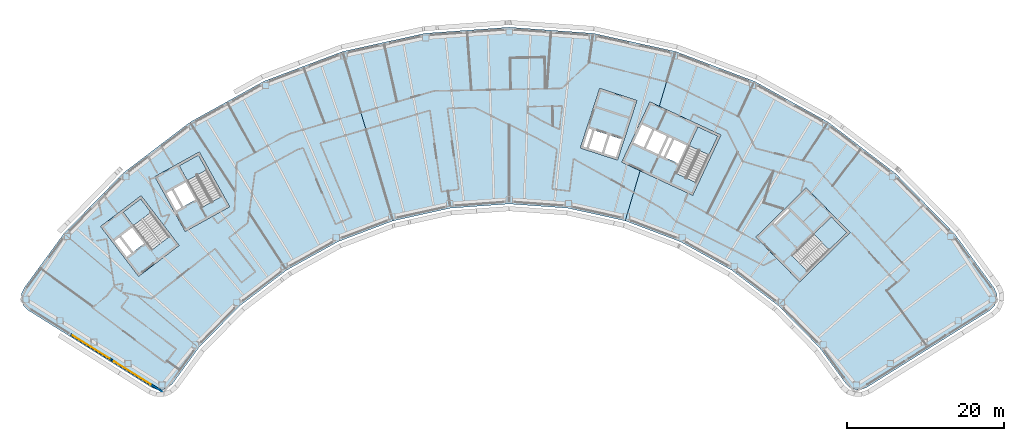
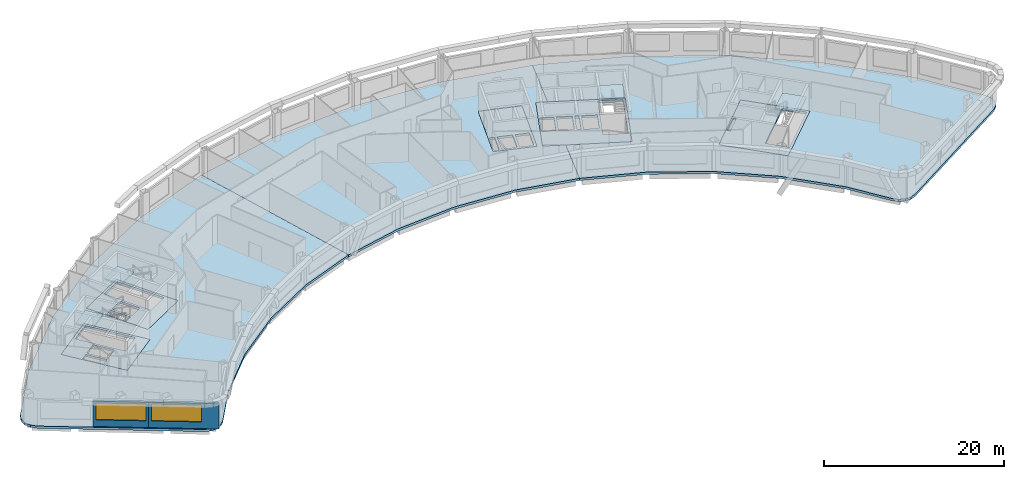
# One storey, part 4 of 14: 12 slabs, 2 walls, 2 windows, 2 openings, 4 elements without a shape of their own.
"""IFC4 building model written with IfcOpenShell, lengths in metres."""

import ifcopenshell
import ifcopenshell.guid

model = None  # the IFC model being written
_history = None  # IfcOwnerHistory: only IFC2X3 demands one
_inside = {}  # id of a spatial element -> (the spatial element, [elements in it])
_under = {}  # id of a project, library or spatial element -> (it, [spatial elements below it])
_declared = {}  # id of a project -> (the project, [libraries it declares])
_typed = {}  # id of a type object -> (the type object, [elements of that type])
_made_of = {}  # id of a material, layer set ... -> (it, [elements and type objects made of it])


def new_model(schema):
    """Start an empty IFC model of exactly this schema.

    Asked for "IFC4X3", IfcOpenShell would pick the latest addendum, in which some entities
    have other attributes; the version numbers below select the first issue.
    IFC2X3 requires an IfcOwnerHistory on every rooted entity: one is made here for all.
    """
    global model, _history
    if schema == "IFC4X3":
        model = ifcopenshell.file(schema_version=(4, 3, 0, 0))
    else:
        model = ifcopenshell.file(schema=schema)
    _inside.clear()
    _under.clear()
    _declared.clear()
    _typed.clear()
    _made_of.clear()
    _history = None
    if model.schema == "IFC2X3":
        org = make("IfcOrganization", Name="unknown")
        user = make(
            "IfcPersonAndOrganization",
            ThePerson=make("IfcPerson", FamilyName="unknown"),
            TheOrganization=org,
        )
        app = make(
            "IfcApplication",
            ApplicationDeveloper=org,
            Version="unknown",
            ApplicationFullName="unknown",
            ApplicationIdentifier="unknown",
        )
        _history = make(
            "IfcOwnerHistory",
            OwningUser=user,
            OwningApplication=app,
            ChangeAction="ADDED",
            CreationDate=0,
        )
    return model


def make(cls, **values):
    """One entity of the class cls with the attributes given. An attribute that is None is left unset."""
    return model.create_entity(
        cls, **{name: value for name, value in values.items() if value is not None}
    )


def rooted(cls, **values):
    """An entity with a GlobalId (a new one), such as an element, a storey or a relation."""
    return make(cls, GlobalId=ifcopenshell.guid.new(), OwnerHistory=_history, **values)


def si_unit(unit_type, name, prefix=None):
    """IfcSIUnit, for example si_unit("LENGTHUNIT", "METRE", prefix="MILLI")."""
    return make("IfcSIUnit", UnitType=unit_type, Prefix=prefix, Name=name)


def assignment(units):
    """IfcUnitAssignment: the units of a project."""
    return None if units is None else make("IfcUnitAssignment", Units=units)


def point(xyz):
    """IfcCartesianPoint."""
    return None if xyz is None else make("IfcCartesianPoint", Coordinates=xyz)


def direction(xyz):
    """IfcDirection."""
    return None if xyz is None else make("IfcDirection", DirectionRatios=xyz)


def frame(location, z_axis=None, x_axis=None):
    """IfcAxis2Placement3D, a coordinate frame: its origin and axes. An axis left out is left unset."""
    return make(
        "IfcAxis2Placement3D",
        Location=point(location),
        Axis=direction(z_axis),
        RefDirection=direction(x_axis),
    )


def frame_2d(location, x_axis=None):
    """IfcAxis2Placement2D, a coordinate frame in the plane: its origin and x axis."""
    return make(
        "IfcAxis2Placement2D", Location=point(location), RefDirection=direction(x_axis)
    )


def origin():
    """The frame at (0, 0, 0) with its axes left unset."""
    return frame((0.0, 0.0, 0.0))


def place(relative_to, where):
    """IfcLocalPlacement: puts the frame where relative to a parent placement (None: the world)."""
    return make(
        "IfcLocalPlacement", PlacementRelTo=relative_to, RelativePlacement=where
    )


def context(
    kind, dimensions, precision=None, world=None, true_north=None, identifier=None
):
    """IfcGeometricRepresentationContext, for example the 3D "Model" context."""
    return make(
        "IfcGeometricRepresentationContext",
        ContextIdentifier=identifier,
        ContextType=kind,
        CoordinateSpaceDimension=dimensions,
        Precision=precision,
        WorldCoordinateSystem=world,
        TrueNorth=true_north,
    )


def subcontext(parent, identifier, kind, view, scale=None):
    """IfcGeometricRepresentationSubContext, for example "Body" below "Model"."""
    return make(
        "IfcGeometricRepresentationSubContext",
        ContextIdentifier=identifier,
        ContextType=kind,
        ParentContext=parent,
        TargetScale=scale,
        TargetView=view,
    )


def project(units=None, contexts=None):
    """IfcProject with its units and contexts."""
    return rooted(
        "IfcProject",
        Name="project",
        RepresentationContexts=contexts,
        UnitsInContext=assignment(units),
    )


def spatial(cls, under=None, at=None, **own):
    """A site, building, storey or space (cls), placed at a placement, below another one or the project."""
    s = rooted(cls, ObjectPlacement=at, **own)
    if under is not None:
        _under.setdefault(under.id(), (under, []))[1].append(s)
    return s


def polyline(points):
    """IfcPolyline through the points."""
    return make("IfcPolyline", Points=[point(p) for p in points])


def profile(cls, at=None, kind="AREA", **sizes):
    """A parametric profile (cls). Its sizes go by their IFC names, for example OverallWidth=200.0."""
    return make(cls, ProfileType=kind, Position=at, **sizes)


def rectangle(**sizes):
    """IfcRectangleProfileDef."""
    return profile("IfcRectangleProfileDef", **sizes)


def outline(outer, holes=None, kind="AREA"):
    """IfcArbitraryClosedProfileDef: a profile drawn as a closed curve; with holes, ...WithVoids."""
    if holes is None:
        return make("IfcArbitraryClosedProfileDef", ProfileType=kind, OuterCurve=outer)
    return make(
        "IfcArbitraryProfileDefWithVoids",
        ProfileType=kind,
        OuterCurve=outer,
        InnerCurves=holes,
    )


def extrude(swept, where, along, depth):
    """IfcExtrudedAreaSolid: the profile swept, set in the frame where, extruded along a direction by depth."""
    return make(
        "IfcExtrudedAreaSolid",
        SweptArea=swept,
        Position=where,
        ExtrudedDirection=direction(along),
        Depth=depth,
    )


def shape(context_of_items, identifier, shape_type, items):
    """IfcShapeRepresentation: the items that make up one representation, for example the "Body"."""
    return make(
        "IfcShapeRepresentation",
        ContextOfItems=context_of_items,
        RepresentationIdentifier=identifier,
        RepresentationType=shape_type,
        Items=items,
    )


def material(Name=None, Category=None):
    """IfcMaterial."""
    return make("IfcMaterial", Name=Name, Category=Category)


def layer(
    of_material, thickness, ventilated=None, Name=None, Category=None, Priority=None
):
    """IfcMaterialLayer: one layer of a wall or slab, of a material (None: an air gap)."""
    return make(
        "IfcMaterialLayer",
        Material=of_material,
        LayerThickness=thickness,
        IsVentilated=ventilated,
        Name=Name,
        Category=Category,
        Priority=Priority,
    )


def layer_set(layers, Name=None):
    """IfcMaterialLayerSet."""
    return make("IfcMaterialLayerSet", MaterialLayers=layers, LayerSetName=Name)


def made_of(thing, what):
    """Note that an element or type object is made of a material, layer set ...; save() writes the relation."""
    if what is not None:
        _made_of.setdefault(what.id(), (what, []))[1].append(thing)
    return thing


def type_object(cls, material=None, **own):
    """A type object (cls), such as IfcWallType, which elements share."""
    return made_of(rooted(cls, **own), material)


def element(
    cls,
    number,
    at=None,
    inside=None,
    cuts=None,
    type_object=None,
    material=None,
    context=None,
    identifier="Body",
    shape_type=None,
    held_by="IfcProductDefinitionShape",
    body=None,
    shapes=None,
    **own,
):
    """One element of the class cls, such as IfcWall. Its Tag is "e" and its number.

    at: its placement. inside: the storey or other place that contains it. cuts: it is an
    opening in that element (IfcRelVoidsElement). A single representation is given by context,
    identifier, shape_type and body (its items); several are given by shapes. held_by: the class
    of the entity that holds the representations. save() writes the other relations.
    """
    e = rooted(cls, Tag="e%d" % number, ObjectPlacement=at, **own)
    if body is not None:
        shapes = [shape(context, identifier, shape_type, body)]
    if shapes is not None:
        e.Representation = make(held_by, Representations=shapes)
    if inside is not None:
        _inside.setdefault(inside.id(), (inside, []))[1].append(e)
    if cuts is not None:
        rooted(
            "IfcRelVoidsElement", RelatingBuildingElement=cuts, RelatedOpeningElement=e
        )
    if type_object is not None:
        _typed.setdefault(type_object.id(), (type_object, []))[1].append(e)
    return made_of(e, material)


def fill(opening, filler):
    """IfcRelFillsElement: the door or window that sits in an opening."""
    return rooted(
        "IfcRelFillsElement",
        RelatingOpeningElement=opening,
        RelatedBuildingElement=filler,
    )


def aggregate(whole, parts):
    """IfcRelAggregates: a whole, such as a stair, and the parts it consists of."""
    return rooted("IfcRelAggregates", RelatingObject=whole, RelatedObjects=parts)


def save(model, path):
    """Write the relations noted so far, then the file.

    IfcRelAggregates (storeys below a building ...), IfcRelContainedInSpatialStructure (elements
    in a storey), IfcRelDefinesByType, IfcRelAssociatesMaterial and IfcRelDeclares: one each for
    every whole, place, type object, material and project.
    """
    for whole, parts in _under.values():
        aggregate(whole, parts)
    for where, things in _inside.values():
        rooted(
            "IfcRelContainedInSpatialStructure",
            RelatedElements=things,
            RelatingStructure=where,
        )
    for kind, things in _typed.values():
        rooted("IfcRelDefinesByType", RelatedObjects=things, RelatingType=kind)
    for what, things in _made_of.values():
        rooted("IfcRelAssociatesMaterial", RelatedObjects=things, RelatingMaterial=what)
    for by, libraries in _declared.values():
        rooted("IfcRelDeclares", RelatingContext=by, RelatedDefinitions=libraries)
    model.write(path)


model = new_model("IFC4")

# Units and contexts
model_context = context("Model", 3, precision=1e-05, world=origin(), true_north=direction((0.0, 1.0)))
body_context = subcontext(model_context, "Body", "Model", "MODEL_VIEW")
ifc_project = project(units=[si_unit("LENGTHUNIT", "METRE"), si_unit("AREAUNIT", "SQUARE_METRE"), si_unit("VOLUMEUNIT", "CUBIC_METRE"), si_unit("PLANEANGLEUNIT", "RADIAN"), si_unit("MASSUNIT", "GRAM", prefix="KILO")], contexts=[model_context])

# Site, building, storey
site_placement = place(None, origin())
site = spatial("IfcSite", under=ifc_project, at=site_placement, CompositionType="ELEMENT")
building_placement = place(site_placement, origin())
building = spatial("IfcBuilding", under=site, at=building_placement, Name="Tuul Gate Civic Tower", CompositionType="ELEMENT")
storey_placement = place(building_placement, frame((0.0, 0.0, 269.39990234375)))
storey = spatial("IfcBuildingStorey", under=building, at=storey_placement, Name="Level 61", CompositionType="ELEMENT", Elevation=269.39990234375)

# Slabs
ifc_material_1 = material(Name="Concrete C40/50", Category="concrete")
ifc_layer_1 = layer(ifc_material_1, 0.300048828125)
ifc_layer_set_1 = layer_set([ifc_layer_1], Name="Concrete C40/50")
slab_type_1 = type_object("IfcSlabType", Name="Core floor slab 300", PredefinedType="FLOOR", material=ifc_layer_set_1)
slab_1_placement = place(storey_placement, frame((0.0, 0.0, -0.2998046875)))
element("IfcSlab", 1, at=slab_1_placement, inside=storey, type_object=slab_type_1, Name="FLOOR SLAB", PredefinedType="FLOOR", context=body_context, shape_type="SweptSolid", body=[
    extrude(outline(polyline([(-31.10009765625, -13.7890625), (-35.946044921875, -7.423828125), (-41.11767578125, -11.361572265625), (-36.271484375, -17.726806640625), (-31.10009765625, -13.7890625)]), holes=[polyline([(-35.561767578125, -13.541259765625), (-37.1064453125, -11.512451171875), (-38.498779296875, -12.572509765625), (-36.9541015625, -14.6015625), (-35.561767578125, -13.541259765625)]), polyline([(-37.19287109375, -14.783203125), (-38.737548828125, -12.75439453125), (-39.45361328125, -13.299560546875), (-37.908935546875, -15.328369140625), (-37.19287109375, -14.783203125)]), polyline([(-32.33935546875, -12.65771484375), (-34.56591796875, -14.352783203125), (-38.229736328125, -9.54052734375), (-36.003173828125, -7.845458984375), (-32.33935546875, -12.65771484375)])]), origin(), (0.0, 0.0, 1.0), 0.2998046875),
])
slab_2_placement = place(storey_placement, frame((0.0, 0.0, -0.2998046875)))
element("IfcSlab", 2, at=slab_2_placement, inside=storey, type_object=slab_type_1, Name="FLOOR SLAB", PredefinedType="FLOOR", context=body_context, shape_type="SweptSolid", body=[
    extrude(outline(polyline([(-24.638916015625, -8.846923828125), (-28.51708984375, -1.849853515625), (-34.2021484375, -5.0009765625), (-30.32421875, -11.998046875), (-24.638916015625, -8.846923828125)]), holes=[polyline([(-29.0185546875, -7.958740234375), (-30.254638671875, -5.728515625), (-31.785400390625, -6.576904296875), (-30.54931640625, -8.80712890625), (-29.0185546875, -7.958740234375)]), polyline([(-30.8115234375, -8.95263671875), (-32.047607421875, -6.72216796875), (-32.8349609375, -7.158447265625), (-31.5986328125, -9.388916015625), (-30.8115234375, -8.95263671875)]), polyline([(-25.702392578125, -7.548828125), (-28.14990234375, -8.905517578125), (-31.08203125, -3.615234375), (-28.63427734375, -2.2587890625), (-25.702392578125, -7.548828125)])]), origin(), (0.0, 0.0, 1.0), 0.2998046875),
])
slab_3_placement = place(storey_placement, frame((0.0, 0.0, -0.2998046875)))
element("IfcSlab", 3, at=slab_3_placement, inside=storey, type_object=slab_type_1, Name="FLOOR SLAB", PredefinedType="FLOOR", context=body_context, shape_type="SweptSolid", body=[
    extrude(outline(polyline([(48.117919921875, -18.43310546875), (54.545166015625, -12.1328125), (48.945068359375, -6.419921875), (42.517822265625, -12.719970703125), (48.117919921875, -18.43310546875)]), holes=[polyline([(44.93896484375, -11.046875), (46.760009765625, -9.261962890625), (46.514892578125, -9.011962890625), (44.69384765625, -10.797119140625), (44.93896484375, -11.046875)]), polyline([(49.086181640625, -17.062744140625), (47.12744140625, -15.064208984375), (52.160888671875, -10.130126953125), (54.11962890625, -12.128662109375), (49.086181640625, -17.062744140625)])]), origin(), (0.0, 0.0, 1.0), 0.2998046875),
])
slab_4_placement = place(storey_placement, frame((0.0, 0.0, -0.2998046875)))
element("IfcSlab", 4, at=slab_4_placement, inside=storey, type_object=slab_type_1, Name="FLOOR SLAB", PredefinedType="FLOOR", context=body_context, shape_type="SweptSolid", body=[
    extrude(outline(polyline([(34.465087890625, -7.385986328125), (38.056884765625, 0.31787109375), (28.993896484375, 4.543701171875), (25.40185546875, -3.159912109375), (34.465087890625, -7.385986328125)]), holes=[polyline([(32.60888671875, -3.32080078125), (33.6865234375, -1.009765625), (32.1005859375, -0.27001953125), (31.02294921875, -2.581298828125), (32.60888671875, -3.32080078125)]), polyline([(30.0712890625, -2.137451171875), (31.14892578125, 0.173583984375), (29.562744140625, 0.9130859375), (28.4853515625, -1.39794921875), (30.0712890625, -2.137451171875)]), polyline([(30.751220703125, -2.454345703125), (31.82861328125, -0.143310546875), (31.4208984375, 0.046875), (30.34326171875, -2.264404296875), (30.751220703125, -2.454345703125)]), polyline([(28.21337890625, -1.27099609375), (29.291015625, 1.0400390625), (27.8408203125, 1.71630859375), (26.76318359375, -0.594970703125), (28.21337890625, -1.27099609375)]), polyline([(34.889892578125, -5.7626953125), (32.353759765625, -4.580078125), (35.120849609375, 1.354736328125), (37.6572265625, 0.17236328125), (34.889892578125, -5.7626953125)])]), origin(), (0.0, 0.0, 1.0), 0.2998046875),
])
ifc_material_2 = material(Name="Concrete C40/50", Category="concrete")
ifc_layer_2 = layer(ifc_material_2, 0.300048828125)
ifc_layer_set_2 = layer_set([ifc_layer_2], Name="Concrete C40/50")
slab_type_2 = type_object("IfcSlabType", Name="Core floor slab 300 non-bearing", PredefinedType="FLOOR", material=ifc_layer_set_2)
slab_5_placement = place(storey_placement, frame((0.0, 0.0, -0.2998046875)))
element("IfcSlab", 5, at=slab_5_placement, inside=storey, type_object=slab_type_2, Name="FLOOR SLAB", PredefinedType="FLOOR", context=body_context, shape_type="SweptSolid", body=[
    extrude(outline(polyline([(24.864990234375, -2.888916015625), (27.337890625, 4.71923828125), (22.58251953125, 6.264404296875), (20.109619140625, -1.343994140625), (24.864990234375, -2.888916015625)]), holes=[polyline([(24.67236328125, -2.510986328125), (25.414306640625, -0.228515625), (23.892578125, 0.265869140625), (23.150634765625, -2.0166015625), (24.67236328125, -2.510986328125)]), polyline([(22.865478515625, -1.923828125), (23.607177734375, 0.358642578125), (21.94287109375, 0.8994140625), (21.201171875, -1.383056640625), (22.865478515625, -1.923828125)]), polyline([(20.869384765625, -1.43310546875), (21.65771484375, 0.9921875), (21.0869140625, 1.177490234375), (20.298583984375, -1.24755859375), (20.869384765625, -1.43310546875)])]), origin(), (0.0, 0.0, 1.0), 0.2998046875),
])

# Stair, slab
ifc_material_3 = material(Name="Concrete C40/50", Category="concrete")
stair_type = type_object("IfcStairType", Name="Exit stair", PredefinedType="HALF_TURN_STAIR", material=ifc_material_3)
stair_1_placement = place(storey_placement, origin())
stair_1 = element("IfcStair", 6, at=stair_1_placement, inside=storey, type_object=stair_type, Name="Level 61 ST-1", PredefinedType="HALF_TURN_STAIR")
ifc_material_4 = material(Name="Concrete C40/50", Category="concrete")
ifc_layer_3 = layer(ifc_material_4, 0.199951171875)
ifc_layer_set_3 = layer_set([ifc_layer_3], Name="Concrete C40/50")
slab_type_3 = type_object("IfcSlabType", Name="Exit stair landing", PredefinedType="LANDING", material=ifc_layer_set_3)
slab_6_placement = place(storey_placement, frame((0.0, 0.0, 1.900146484375)))
slab_6 = element("IfcSlab", 7, at=slab_6_placement, type_object=slab_type_3, Name="ST-1 landing 1", PredefinedType="LANDING", context=body_context, shape_type="SweptSolid", body=[
    extrude(outline(polyline([(-34.699462890625, -9.554931640625), (-36.9287109375, -11.252197265625), (-38.23193359375, -9.540283203125), (-36.0029296875, -7.843017578125), (-34.699462890625, -9.554931640625)])), origin(), (0.0, 0.0, 1.0), 0.199951171875),
])
aggregate(stair_1, [slab_6])

stair_2_placement = place(storey_placement, origin())
stair_2 = element("IfcStair", 8, at=stair_2_placement, inside=storey, type_object=stair_type, Name="Level 61 ST-2", PredefinedType="HALF_TURN_STAIR")
slab_7_placement = place(storey_placement, frame((0.0, 0.0, 1.900146484375)))
slab_7 = element("IfcSlab", 9, at=slab_7_placement, type_object=slab_type_3, Name="ST-2 landing 1", PredefinedType="LANDING", context=body_context, shape_type="SweptSolid", body=[
    extrude(outline(polyline([(-27.5908203125, -4.138427734375), (-30.041015625, -5.49658203125), (-31.084228515625, -3.61474609375), (-28.6337890625, -2.256591796875), (-27.5908203125, -4.138427734375)])), origin(), (0.0, 0.0, 1.0), 0.199951171875),
])
aggregate(stair_2, [slab_7])

stair_3_placement = place(storey_placement, origin())
stair_3 = element("IfcStair", 10, at=stair_3_placement, inside=storey, type_object=stair_type, Name="Level 61 ST-3", PredefinedType="HALF_TURN_STAIR")
slab_8_placement = place(storey_placement, frame((0.0, 0.0, 1.900146484375)))
slab_8 = element("IfcSlab", 11, at=slab_8_placement, type_object=slab_type_3, Name="ST-3 landing 1", PredefinedType="LANDING", context=body_context, shape_type="SweptSolid", body=[
    extrude(outline(polyline([(51.871337890625, -14.3349609375), (49.91015625, -12.334228515625), (52.160888671875, -10.1279296875), (54.1220703125, -12.128662109375), (51.871337890625, -14.3349609375)])), origin(), (0.0, 0.0, 1.0), 0.199951171875),
])
aggregate(stair_3, [slab_8])

stair_4_placement = place(storey_placement, origin())
stair_4 = element("IfcStair", 12, at=stair_4_placement, inside=storey, type_object=stair_type, Name="Level 61 ST-4", PredefinedType="HALF_TURN_STAIR")
slab_9_placement = place(storey_placement, frame((0.0, 0.0, 1.900146484375)))
slab_9 = element("IfcSlab", 13, at=slab_9_placement, type_object=slab_type_3, Name="ST-4 landing 1", PredefinedType="LANDING", context=body_context, shape_type="SweptSolid", body=[
    extrude(outline(polyline([(36.538818359375, -2.230224609375), (33.999755859375, -1.046142578125), (35.1201171875, 1.35693359375), (37.659423828125, 0.173095703125), (36.538818359375, -2.230224609375)])), origin(), (0.0, 0.0, 1.0), 0.199951171875),
])
aggregate(stair_4, [slab_9])

# Slabs
ifc_material_5 = material(Name="Concrete C35/45", Category="concrete")
ifc_layer_4 = layer(ifc_material_5, 0.300048828125)
ifc_layer_set_4 = layer_set([ifc_layer_4], Name="Concrete C35/45")
slab_type_4 = type_object("IfcSlabType", Name="STR-FLOOR-SLAB-300", PredefinedType="FLOOR", material=ifc_layer_set_4)
slab_10_placement = place(storey_placement, frame((0.0, 0.0, -0.2998046875)))
element("IfcSlab", 14, at=slab_10_placement, inside=storey, type_object=slab_type_4, Name="Level 61/slab/W", PredefinedType="FLOOR", context=body_context, shape_type="SweptSolid", body=[
    extrude(outline(polyline([(-10.802978515625, -13.294921875), (-3.782958984375, -10.64111328125), (-10.217041015625, 10.98095703125), (-20.285888671875, 7.174072265625), (-29.699951171875, 1.955078125), (-38.264892578125, -4.56591796875), (-45.800048828125, -12.2529296875), (-50.881103515625, -19.208984375), (-51.217041015625, -19.951904296875), (-51.22900390625, -20.76806640625), (-50.9140625, -21.52001953125), (-50.324951171875, -22.0849609375), (-34.594970703125, -31.9140625), (-33.90087890625, -32.18408203125), (-33.156005859375, -32.181884765625), (-32.464111328125, -31.906982421875), (-31.919921875, -31.39697265625), (-28.591064453125, -26.839111328125), (-23.337890625, -21.47998046875), (-17.366943359375, -16.93408203125), (-10.802978515625, -13.294921875)]), holes=[polyline([(-31.10009765625, -13.7890625), (-36.27197265625, -17.72705078125), (-41.117919921875, -11.362060546875), (-35.946044921875, -7.424072265625), (-31.10009765625, -13.7890625)]), polyline([(-24.638916015625, -8.846923828125), (-30.323974609375, -11.998046875), (-34.201904296875, -5.0009765625), (-28.51708984375, -1.85009765625), (-24.638916015625, -8.846923828125)])]), origin(), (0.0, 0.0, 1.0), 0.2998046875),
])
slab_11_placement = place(storey_placement, frame((0.0, 0.0, -0.2998046875)))
element("IfcSlab", 15, at=slab_11_placement, inside=storey, type_object=slab_type_4, Name="Level 61/slab/M", PredefinedType="FLOOR", context=body_context, shape_type="SweptSolid", body=[
    extrude(outline(polyline([(18.51611328125, -9.02490234375), (25.844970703125, -10.64111328125), (27.74609375, -4.2529296875), (25.402099609375, -3.159912109375), (28.993896484375, 4.5439453125), (30.197021484375, 3.98291015625), (32.279052734375, 10.98095703125), (21.76708984375, 13.298095703125), (11.031005859375, 14.075927734375), (0.294921875, 13.298095703125), (-10.217041015625, 10.98095703125), (-3.782958984375, -10.64111328125), (3.5458984375, -9.02490234375), (11.031005859375, -8.48291015625), (18.51611328125, -9.02490234375)]), holes=[polyline([(20.110107421875, -1.343994140625), (22.58203125, 6.264892578125), (27.337890625, 4.719970703125), (24.864990234375, -2.888916015625), (20.110107421875, -1.343994140625)])]), origin(), (0.0, 0.0, 1.0), 0.2998046875),
])
slab_12_placement = place(storey_placement, frame((0.0, 0.0, -0.2998046875)))
element("IfcSlab", 16, at=slab_12_placement, inside=storey, type_object=slab_type_4, Name="Level 61/slab/E", PredefinedType="FLOOR", context=body_context, shape_type="SweptSolid", body=[
    extrude(outline(polyline([(55.962890625, -32.18408203125), (56.656982421875, -31.9140625), (72.386962890625, -22.0849609375), (72.97607421875, -21.52001953125), (73.291015625, -20.76806640625), (73.279052734375, -19.951904296875), (72.94189453125, -19.208984375), (67.862060546875, -12.2529296875), (60.325927734375, -4.56591796875), (51.761962890625, 1.955078125), (42.347900390625, 7.174072265625), (32.279052734375, 10.98095703125), (30.197021484375, 3.98291015625), (38.056884765625, 0.318115234375), (34.465087890625, -7.385986328125), (27.74609375, -4.2529296875), (25.844970703125, -10.64111328125), (32.864990234375, -13.294921875), (39.428955078125, -16.93408203125), (45.39990234375, -21.47998046875), (50.653076171875, -26.839111328125), (53.98193359375, -31.39697265625), (54.52587890625, -31.906982421875), (55.218017578125, -32.181884765625), (55.962890625, -32.18408203125)]), holes=[polyline([(48.117919921875, -18.43310546875), (42.51806640625, -12.719970703125), (48.945068359375, -6.419921875), (54.544921875, -12.133056640625), (48.117919921875, -18.43310546875)])]), origin(), (0.0, 0.0, 1.0), 0.2998046875),
])

# Wall, opening, window
ifc_material_6 = material(Name="Precast concrete C40/50", Category="concrete")
ifc_layer_5 = layer(ifc_material_6, 0.25)
ifc_layer_set_5 = layer_set([ifc_layer_5], Name="Precast concrete C40/50")
wall_type = type_object("IfcWallType", Name="External wall", PredefinedType="STANDARD", material=ifc_layer_set_5)
wall_1_placement = place(storey_placement, frame((-44.9365234375, -25.127685546875, 0.0), z_axis=(0.0, 0.0, 1.0), x_axis=(0.848036012993, -0.529938600846, 0.0)))
wall_1 = element("IfcWall", 17, at=wall_1_placement, inside=storey, type_object=wall_type, Name="External wall", PredefinedType="STANDARD", context=body_context, shape_type="SweptSolid", body=[
    extrude(rectangle(XDim=6.18310546875, YDim=0.25, at=frame_2d((3.091552734375, 0.0))), origin(), (0.0, 0.0, 1.0), 3.4501953125),
])
opening_1_placement = place(wall_1_placement, frame((0.31640625, 0.0, 0.89990234375)))
opening_1 = element("IfcOpeningElement", 18, at=opening_1_placement, cuts=wall_1, Name="Opening W24", PredefinedType="OPENING", context=body_context, shape_type="SweptSolid", body=[
    extrude(rectangle(XDim=5.550048828125, YDim=2.300048828125, at=frame_2d((2.77490234375, 1.14990234375))), frame((0.0, 0.135009765625, 0.0), z_axis=(0.0, -1.0, 0.0), x_axis=(1.0, 0.0, 0.0)), (0.0, 0.0, 1.0), 0.27001953125),
])
ifc_material_7 = material(Name="Glass", Category="glass")
window_type = type_object("IfcWindowType", Name="Window W24 5550 x 2300", PartitioningType="SINGLE_PANEL", PredefinedType="WINDOW", material=ifc_material_7)
window_1_placement = place(opening_1_placement, origin())
window_1 = element("IfcWindow", 19, at=window_1_placement, inside=storey, type_object=window_type, Name="Window", OverallHeight=2.300048828125, OverallWidth=5.550048828125, PartitioningType="SINGLE_PANEL", PredefinedType="WINDOW", context=body_context, shape_type="SweptSolid", body=[
    extrude(rectangle(XDim=5.550048828125, YDim=2.300048828125, at=frame_2d((2.77490234375, 1.14990234375))), frame((0.0, 0.030029296875, 0.0), z_axis=(0.0, -1.0, 0.0), x_axis=(1.0, 0.0, 0.0)), (0.0, 0.0, 1.0), 0.06005859375),
])
fill(opening_1, window_1)

wall_2_placement = place(storey_placement, frame((-39.693115234375, -28.404296875, 0.0), z_axis=(0.0, 0.0, 1.0), x_axis=(0.848019436648, -0.529965126274, 0.0)))
wall_2 = element("IfcWall", 20, at=wall_2_placement, inside=storey, type_object=wall_type, Name="External wall", PredefinedType="STANDARD", context=body_context, shape_type="SweptSolid", body=[
    extrude(rectangle(XDim=7.7880859375, YDim=0.25, at=frame_2d((3.89404296875, 0.0))), origin(), (0.0, 0.0, 1.0), 3.4501953125),
])
opening_2_placement = place(wall_2_placement, frame((0.31640625, 0.0, 0.89990234375)))
opening_2 = element("IfcOpeningElement", 21, at=opening_2_placement, cuts=wall_2, Name="Opening W24", PredefinedType="OPENING", context=body_context, shape_type="SweptSolid", body=[
    extrude(rectangle(XDim=5.550048828125, YDim=2.300048828125, at=frame_2d((2.77490234375, 1.14990234375))), frame((0.0, 0.135009765625, 0.0), z_axis=(0.0, -1.0, 0.0), x_axis=(1.0, 0.0, 0.0)), (0.0, 0.0, 1.0), 0.27001953125),
])
window_2_placement = place(opening_2_placement, origin())
window_2 = element("IfcWindow", 22, at=window_2_placement, inside=storey, type_object=window_type, Name="Window", OverallHeight=2.300048828125, OverallWidth=5.550048828125, PartitioningType="SINGLE_PANEL", PredefinedType="WINDOW", context=body_context, shape_type="SweptSolid", body=[
    extrude(rectangle(XDim=5.550048828125, YDim=2.300048828125, at=frame_2d((2.77490234375, 1.14990234375))), frame((0.0, 0.030029296875, 0.0), z_axis=(0.0, -1.0, 0.0), x_axis=(1.0, 0.0, 0.0)), (0.0, 0.0, 1.0), 0.06005859375),
])
fill(opening_2, window_2)

save(model, "model.ifc")
